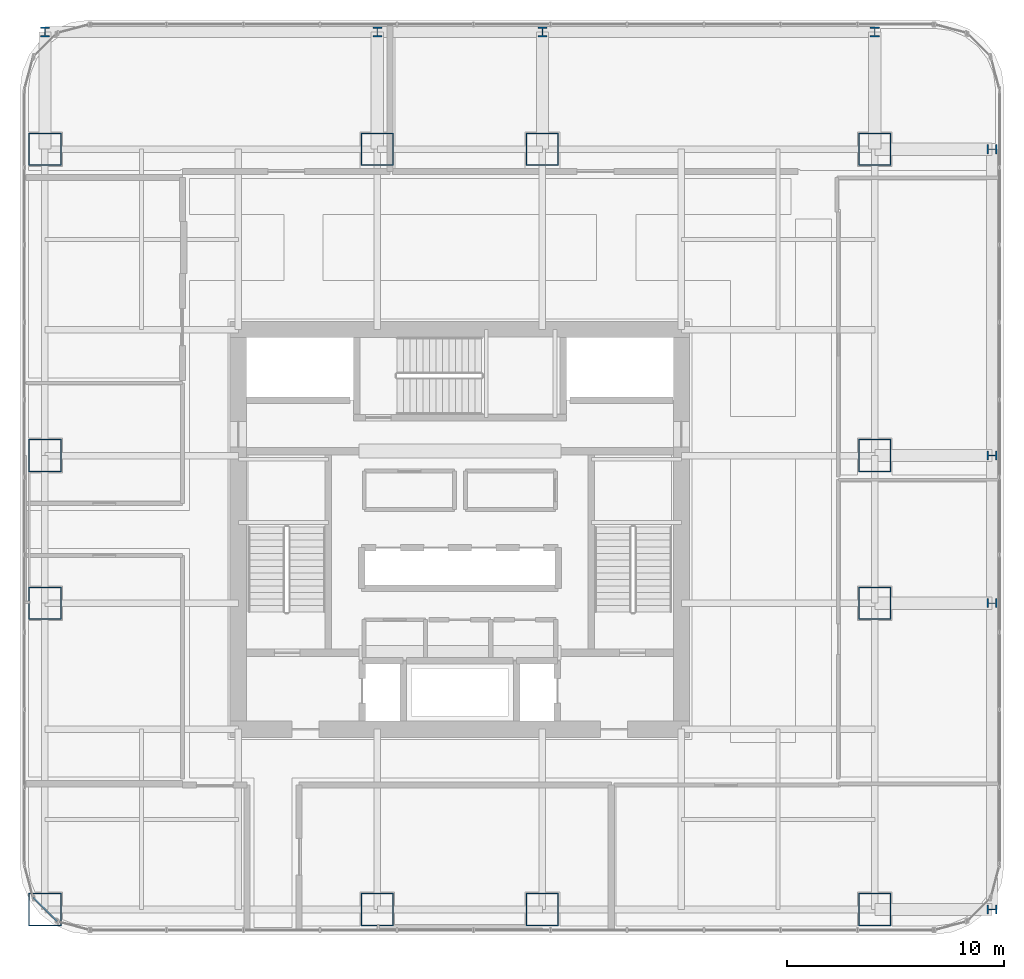
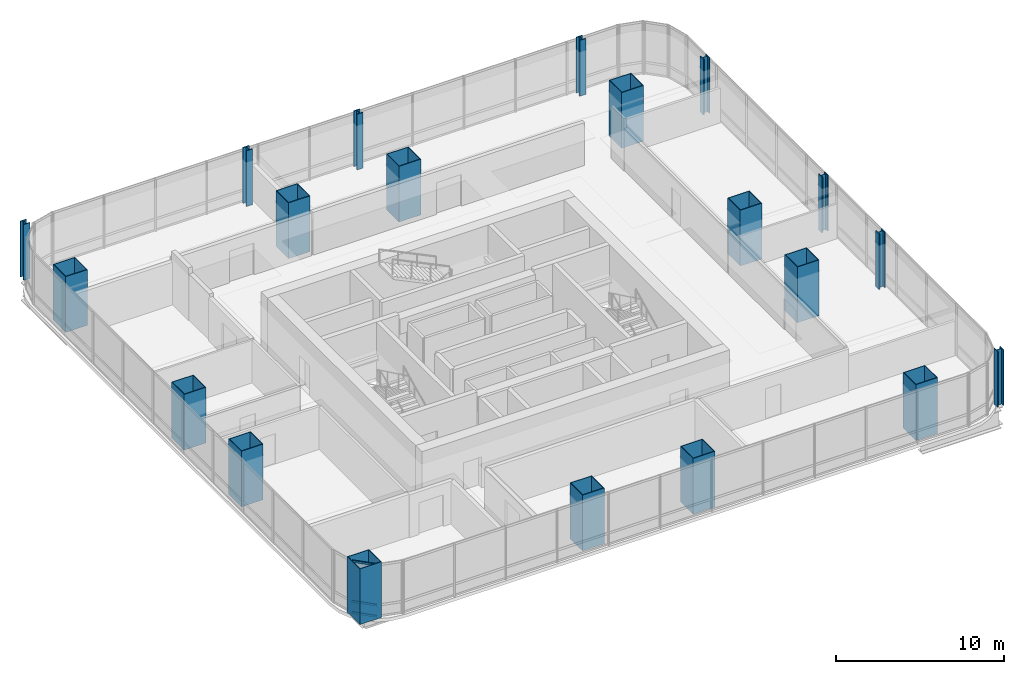
# One storey, part 1 of 34: 20 columns, 3 members, 1 element without a shape of its own.
"""IFC4 building model written with IfcOpenShell, lengths in metres."""

from ifc_helpers import new_model, si_unit, direction, frame, origin, origin_2d, place, context, subcontext, project, spatial, hollow_rectangle, i_section, extrude, material, material_profile, profile_set, type_object, element, aggregate, save


model = new_model("IFC4")

# Units and contexts
model_context = context("Model", 3, precision=1e-05, world=origin(), true_north=direction((0.0, 1.0)))
body_context = subcontext(model_context, "Body", "Model", "MODEL_VIEW")
ifc_project = project(units=[si_unit("LENGTHUNIT", "METRE"), si_unit("AREAUNIT", "SQUARE_METRE"), si_unit("VOLUMEUNIT", "CUBIC_METRE"), si_unit("PLANEANGLEUNIT", "RADIAN"), si_unit("MASSUNIT", "GRAM", prefix="KILO")], contexts=[model_context])

# Site, building, storey
site_placement = place(None, origin())
site = spatial("IfcSite", under=ifc_project, at=site_placement, CompositionType="ELEMENT")
building_placement = place(site_placement, origin())
building = spatial("IfcBuilding", under=site, at=building_placement, Name="Punatoya Terracotta Tower", CompositionType="ELEMENT")
storey_placement = place(building_placement, frame((0.0, 0.0, 101.10009765625)))
storey = spatial("IfcBuildingStorey", under=building, at=storey_placement, Name="L23", CompositionType="ELEMENT", Elevation=101.10009765625)

# Columns
ifc_material_1 = material(Name="Steel S460", Category="steel")
ifc_material_profile_1 = material_profile(ifc_material_1, i_section(OverallWidth=0.416015625, OverallDepth=0.446044921875, WebThickness=0.0390625, FlangeThickness=0.06201171875, FilletRadius=0.01806640625, at=origin_2d()))
ifc_profile_set_1 = profile_set([ifc_material_profile_1], Name="Steel S460")
column_type_1 = type_object("IfcColumnType", Name="COL-EX-M1", PredefinedType="COLUMN", material=ifc_profile_set_1)
for number, where, z_axis, x_axis, name in (
    (1, (-19.10009765625, 22.89990234375, 0.0), (0.0, 0.0, 1.0), (1.0, 0.0, 0.0), "L23 Exoskeleton Perimeter Column N1"),
    (2, (-3.800048828125, 22.89990234375, 0.0), (0.0, 0.0, 1.0), (1.0, 0.0, 0.0), "L23 Exoskeleton Perimeter Column N2"),
    (3, (3.800048828125, 22.89990234375, 0.0), (0.0, 0.0, 1.0), (1.0, 0.0, 0.0), "L23 Exoskeleton Perimeter Column N3"),
    (4, (19.10009765625, 22.89990234375, 0.0), (0.0, 0.0, 1.0), (1.0, 0.0, 0.0), "L23 Exoskeleton Perimeter Column N4"),
    (5, (24.5, -17.5, 0.0), (0.0, 0.0, 1.0), (0.0, 1.0, 0.0), "L23 Exoskeleton Perimeter Column E1"),
    (6, (24.5, -3.39990234375, 0.0), (0.0, 0.0, 1.0), (0.0, 1.0, 0.0), "L23 Exoskeleton Perimeter Column E2"),
    (7, (24.5, 3.39990234375, 0.0), (0.0, 0.0, 1.0), (0.0, 1.0, 0.0), "L23 Exoskeleton Perimeter Column E3"),
    (8, (24.5, 17.5, 0.0), (0.0, 0.0, 1.0), (0.0, 1.0, 0.0), "L23 Exoskeleton Perimeter Column E4"),
):
    element("IfcColumn", number, at=place(storey_placement, frame(where, z_axis=z_axis, x_axis=x_axis)), inside=storey, type_object=column_type_1, Name=name, PredefinedType="COLUMN", context=body_context, shape_type="SweptSolid", body=[
        extrude(i_section(OverallWidth=0.416015625, OverallDepth=0.446044921875, WebThickness=0.0390625, FlangeThickness=0.06201171875, FilletRadius=0.01806640625, at=origin_2d()), origin(), (0.0, 0.0, 1.0), 4.0478515625),
    ])
ifc_material_profile_2 = material_profile(ifc_material_1, hollow_rectangle(XDim=1.5, YDim=1.5, WallThickness=0.044921875, at=origin_2d()))
ifc_profile_set_2 = profile_set([ifc_material_profile_2], Name="Steel S460")
column_type_2 = type_object("IfcColumnType", Name="COL-MC-Z1", PredefinedType="COLUMN", material=ifc_profile_set_2)
for number, where, z_axis, x_axis, name in (
    (9, (-19.10009765625, -17.5, 0.0), (0.0, 0.0, 1.0), (1.0, 0.0, 0.0), "L23 Composite Mega-Column MC-01 (3-B)"),
    (10, (-3.800048828125, -17.5, 0.0), (0.0, 0.0, 1.0), (1.0, 0.0, 0.0), "L23 Composite Mega-Column MC-02 (5-B)"),
    (11, (3.800048828125, -17.5, 0.0), (0.0, 0.0, 1.0), (1.0, 0.0, 0.0), "L23 Composite Mega-Column MC-03 (7-B)"),
    (12, (19.10009765625, -17.5, 0.0), (0.0, 0.0, 1.0), (1.0, 0.0, 0.0), "L23 Composite Mega-Column MC-04 (9-B)"),
    (13, (19.10009765625, -3.39990234375, 0.0), (0.0, 0.0, 1.0), (1.0, 0.0, 0.0), "L23 Composite Mega-Column MC-05 (9-D)"),
    (14, (19.10009765625, 3.39990234375, 0.0), (0.0, 0.0, 1.0), (1.0, 0.0, 0.0), "L23 Composite Mega-Column MC-06 (9-E)"),
    (15, (19.10009765625, 17.5, 0.0), (0.0, 0.0, 1.0), (1.0, 0.0, 0.0), "L23 Composite Mega-Column MC-07 (9-G)"),
    (16, (3.800048828125, 17.5, 0.0), (0.0, 0.0, 1.0), (1.0, 0.0, 0.0), "L23 Composite Mega-Column MC-08 (7-G)"),
    (17, (-3.800048828125, 17.5, 0.0), (0.0, 0.0, 1.0), (1.0, 0.0, 0.0), "L23 Composite Mega-Column MC-09 (5-G)"),
    (18, (-19.10009765625, 17.5, 0.0), (0.0, 0.0, 1.0), (1.0, 0.0, 0.0), "L23 Composite Mega-Column MC-10 (3-G)"),
    (19, (-19.10009765625, 3.39990234375, 0.0), (0.0, 0.0, 1.0), (1.0, 0.0, 0.0), "L23 Composite Mega-Column MC-11 (3-E)"),
    (20, (-19.10009765625, -3.39990234375, 0.0), (0.0, 0.0, 1.0), (1.0, 0.0, 0.0), "L23 Composite Mega-Column MC-12 (3-D)"),
):
    element("IfcColumn", number, at=place(storey_placement, frame(where, z_axis=z_axis, x_axis=x_axis)), inside=storey, type_object=column_type_2, Name=name, PredefinedType="COLUMN", context=body_context, shape_type="SweptSolid", body=[
        extrude(hollow_rectangle(XDim=1.5, YDim=1.5, WallThickness=0.044921875, at=origin_2d()), origin(), (0.0, 0.0, 1.0), 4.0498046875),
    ])

# Curtain wall, members
ifc_material_2 = material(Name="Aluminium 6063-T6 + Double Low-E Glass", Category="aluminium")
curtain_wall_type = type_object("IfcCurtainWallType", Name="CW-M1", PredefinedType="NOTDEFINED", material=ifc_material_2)
curtain_wall_placement = place(storey_placement, origin())
curtain_wall = element("IfcCurtainWall", 21, at=curtain_wall_placement, inside=storey, type_object=curtain_wall_type, Name="L23 Curtain Wall CW-L23-CRN15", PredefinedType="NOTDEFINED")
ifc_material_3 = material(Name="Aluminium 6063-T6", Category="aluminium")
ifc_material_profile_3 = material_profile(ifc_material_3, hollow_rectangle(XDim=0.068115234375, YDim=0.14990234375, WallThickness=0.00390625, at=origin_2d()))
ifc_profile_set_3 = profile_set([ifc_material_profile_3], Name="Aluminium 6063-T6")
member_type = type_object("IfcMemberType", Name="CW-TRN-TYP", PredefinedType="USERDEFINED", material=ifc_profile_set_3)
member_1_placement = place(storey_placement, frame((-19.646484375, -16.94921875, 0.039794921875), z_axis=(0.707106781187, -0.707106781187, 0.0), x_axis=(0.707106781187, 0.707106781187, 0.0)))
member_1 = element("IfcMember", 22, at=member_1_placement, type_object=member_type, Name="CW-L23-CRN15 Transom 1", ObjectType="TRANSOM", PredefinedType="USERDEFINED", context=body_context, shape_type="SweptSolid", body=[
    extrude(hollow_rectangle(XDim=0.068115234375, YDim=0.14990234375, WallThickness=0.00390625, at=origin_2d()), origin(), (0.0, 0.0, 1.0), 1.552001953125),
])
member_2_placement = place(storey_placement, frame((-19.646484375, -16.94921875, 0.849853515625), z_axis=(0.707106781187, -0.707106781187, 0.0), x_axis=(0.707106781187, 0.707106781187, 0.0)))
member_2 = element("IfcMember", 23, at=member_2_placement, type_object=member_type, Name="CW-L23-CRN15 Transom 2", ObjectType="TRANSOM", PredefinedType="USERDEFINED", context=body_context, shape_type="SweptSolid", body=[
    extrude(hollow_rectangle(XDim=0.068115234375, YDim=0.14990234375, WallThickness=0.00390625, at=origin_2d()), origin(), (0.0, 0.0, 1.0), 1.552001953125),
])
member_3_placement = place(storey_placement, frame((-19.646484375, -16.94921875, 3.77001953125), z_axis=(0.707106781187, -0.707106781187, 0.0), x_axis=(0.707106781187, 0.707106781187, 0.0)))
member_3 = element("IfcMember", 24, at=member_3_placement, type_object=member_type, Name="CW-L23-CRN15 Transom 3", ObjectType="TRANSOM", PredefinedType="USERDEFINED", context=body_context, shape_type="SweptSolid", body=[
    extrude(hollow_rectangle(XDim=0.068115234375, YDim=0.14990234375, WallThickness=0.00390625, at=origin_2d()), origin(), (0.0, 0.0, 1.0), 1.552001953125),
])
aggregate(curtain_wall, [member_1, member_2, member_3])

save(model, "model.ifc")
